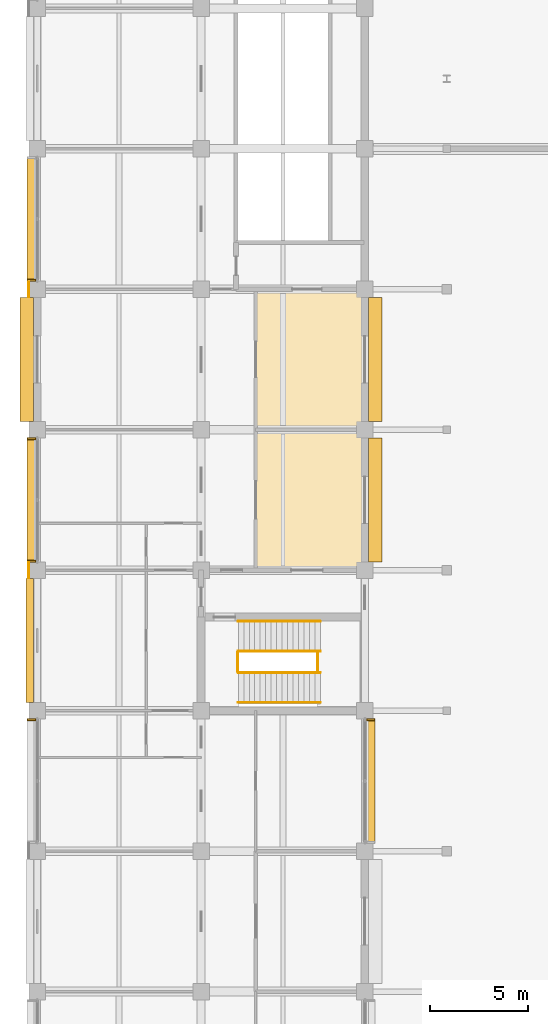
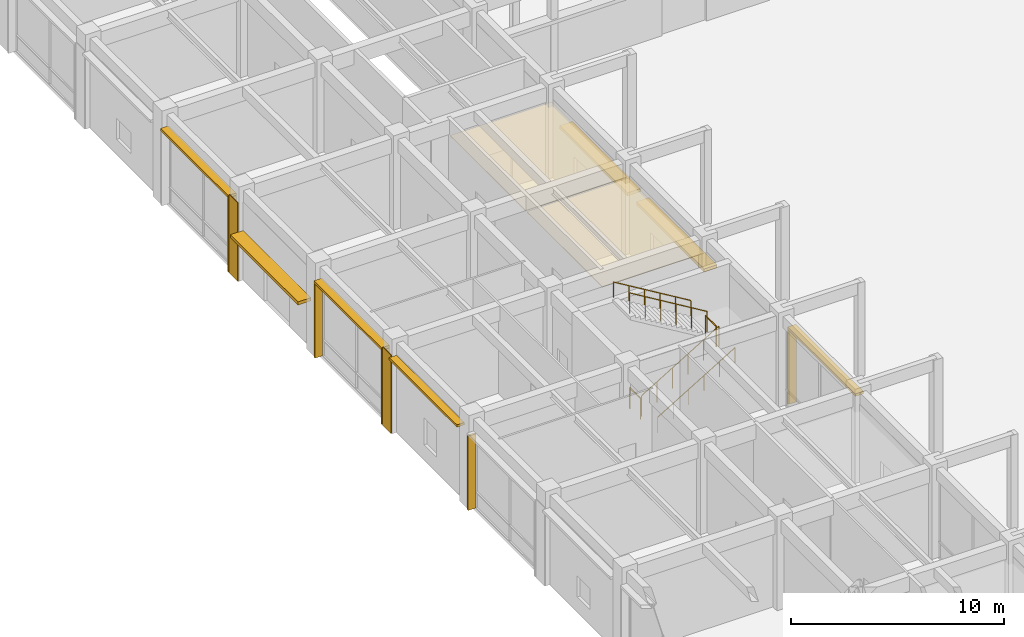
# One storey, part 64 of 73: 12 shading devices, 6 railings, 4 coverings.
"""IFC4 building model written with IfcOpenShell, lengths in metres."""

from ifc_helpers import new_model, si_unit, direction, frame, origin, origin_2d, place, context, subcontext, project, spatial, polyline, rectangle, circle, outline, extrude, material, layer, layer_set, type_object, element, save


model = new_model("IFC4")

# Units and contexts
model_context = context("Model", 3, precision=1e-05, world=origin(), true_north=direction((0.0, 1.0)))
body_context = subcontext(model_context, "Body", "Model", "MODEL_VIEW")
ifc_project = project(units=[si_unit("LENGTHUNIT", "METRE"), si_unit("AREAUNIT", "SQUARE_METRE"), si_unit("VOLUMEUNIT", "CUBIC_METRE"), si_unit("PLANEANGLEUNIT", "RADIAN"), si_unit("MASSUNIT", "GRAM", prefix="KILO")], contexts=[model_context])

# Site, building, storey
site_placement = place(None, origin())
site = spatial("IfcSite", under=ifc_project, at=site_placement, CompositionType="ELEMENT")
building_placement = place(site_placement, origin())
building = spatial("IfcBuilding", under=site, at=building_placement, Name="Chengyuan Square Courthouse", CompositionType="ELEMENT")
storey_placement = place(building_placement, origin())
storey = spatial("IfcBuildingStorey", under=building, at=storey_placement, Name="L01", CompositionType="ELEMENT", Elevation=0.0)

# Coverings
ifc_material_1 = material(Name="Flamed Liaoning Granite Column Cladding", Category="masonry")
ifc_layer_1 = layer(ifc_material_1, 0.050048828125)
ifc_layer_set_1 = layer_set([ifc_layer_1], Name="Flamed Liaoning Granite Column Cladding")
covering_type_1 = type_object("IfcCoveringType", Name="CLD-01", PredefinedType="CLADDING", material=ifc_layer_set_1)
for number, where, z_axis, x_axis, name in (
    (1, (-0.445068359375, 43.199951171875, 0.0), (0.0, 0.0, 1.0), (1.0, 0.0, 0.0), "Granite Column Cladding CLD-L01-04"),
    (2, (-0.445068359375, 57.60009765625, 0.0), (0.0, 0.0, 1.0), (1.0, 0.0, 0.0), "Granite Column Cladding CLD-L01-05"),
):
    element("IfcCovering", number, at=place(storey_placement, frame(where, z_axis=z_axis, x_axis=x_axis)), inside=storey, type_object=covering_type_1, Name=name, PredefinedType="CLADDING", context=body_context, shape_type="SweptSolid", body=[
        extrude(rectangle(XDim=0.050048828125, YDim=0.800048828125, at=origin_2d()), origin(), (0.0, 0.0, 1.0), 4.5),
    ])
ifc_material_2 = material(Name="Perforated Larch Glulam Acoustic Slat Ceiling", Category="wood")
ifc_layer_2 = layer(ifc_material_2, 0.044921875)
ifc_layer_set_2 = layer_set([ifc_layer_2], Name="Perforated Larch Glulam Acoustic Slat Ceiling")
covering_type_2 = type_object("IfcCoveringType", Name="CLG-01", PredefinedType="CEILING", material=ifc_layer_set_2)
covering_1_placement = place(storey_placement, frame((0.0, 0.0, 4.02001953125)))
element("IfcCovering", 3, at=covering_1_placement, inside=storey, type_object=covering_type_2, Name="Acoustic Timber Slat Ceiling CLG-L01-WIR-W06", PredefinedType="CEILING", context=body_context, shape_type="SweptSolid", body=[
    extrude(outline(polyline([(11.25, 43.25), (16.75, 43.25), (16.75, 50.35009765625), (11.25, 50.35009765625), (11.25, 43.25)])), origin(), (0.0, 0.0, 1.0), 0.044921875),
])
covering_2_placement = place(storey_placement, frame((0.0, 0.0, 4.02001953125)))
element("IfcCovering", 4, at=covering_2_placement, inside=storey, type_object=covering_type_2, Name="Acoustic Timber Slat Ceiling CLG-L01-WIR-W07", PredefinedType="CEILING", context=body_context, shape_type="SweptSolid", body=[
    extrude(outline(polyline([(11.25, 50.449951171875), (16.75, 50.449951171875), (16.75, 57.550048828125), (11.25, 57.550048828125), (11.25, 50.449951171875)])), origin(), (0.0, 0.0, 1.0), 0.044921875),
])

# Railings
ifc_material_3 = material(Name="Tempered Glass and Timber Top-Rail Balustrade", Category="wood")
railing_type_1 = type_object("IfcRailingType", Name="RL-02", PredefinedType="BALUSTRADE", material=ifc_material_3)
for number, where, name in (
    (5, (10.2900390625, 38.0, 0.0), "Stair Floor Slot Guard ST-7 L01"),
    (6, (14.389892578125, 38.0, 2.699951171875), "Stair Landing Guard ST-7-L01"),
):
    element("IfcRailing", number, at=place(storey_placement, frame(where)), inside=storey, type_object=railing_type_1, Name=name, PredefinedType="BALUSTRADE", context=body_context, shape_type="SweptSolid", body=[
        extrude(circle(Radius=0.02392578125, at=origin_2d()), frame((0.0, 0.0, 1.17578125), z_axis=(0.0, 1.0, 0.0), x_axis=(-1.0, 0.0, 0.0)), (0.0, 0.0, 1.0), 1.0),
        extrude(circle(Radius=0.02099609375, at=origin_2d()), origin(), (0.0, 0.0, 1.0), 1.15185546875),
        extrude(circle(Radius=0.02099609375, at=origin_2d()), frame((0.0, 1.0, 0.0)), (0.0, 0.0, 1.0), 1.15185546875),
    ])
railing_1_placement = place(storey_placement, frame((10.31005859375, 37.949951171875, 0.168701171875)))
element("IfcRailing", 7, at=railing_1_placement, inside=storey, type_object=railing_type_1, Name="Stair Flight 1 Guard ST-7-L01", PredefinedType="BALUSTRADE", context=body_context, shape_type="SweptSolid", body=[
    extrude(circle(Radius=0.02392578125, at=origin_2d()), frame((0.0, 0.0, 1.17578125), z_axis=(0.856476492594, 0.0, 0.516186030065), x_axis=(0.0, 1.0, 0.0)), (0.0, 0.0, 1.0), 4.90380859375),
    extrude(circle(Radius=0.02099609375, at=origin_2d()), origin(), (0.0, 0.0, 1.0), 1.15185546875),
    extrude(circle(Radius=0.02099609375, at=origin_2d()), frame((0.840087890625, 0.0, 0.50634765625)), (0.0, 0.0, 1.0), 1.15185546875),
    extrude(circle(Radius=0.02099609375, at=origin_2d()), frame((1.679931640625, 0.0, 1.012451171875)), (0.0, 0.0, 1.0), 1.15185546875),
    extrude(circle(Radius=0.02099609375, at=origin_2d()), frame((2.52001953125, 0.0, 1.518798828125)), (0.0, 0.0, 1.0), 1.15185546875),
    extrude(circle(Radius=0.02099609375, at=origin_2d()), frame((3.35986328125, 0.0, 2.02490234375)), (0.0, 0.0, 1.0), 1.15185546875),
    extrude(circle(Radius=0.02099609375, at=origin_2d()), frame((4.199951171875, 0.0, 2.53125)), (0.0, 0.0, 1.0), 1.15185546875),
])
railing_2_placement = place(storey_placement, frame((14.510009765625, 39.050048828125, 2.868896484375)))
element("IfcRailing", 8, at=railing_2_placement, inside=storey, type_object=railing_type_1, Name="Stair Flight 2 Guard ST-7-L01", PredefinedType="BALUSTRADE", context=body_context, shape_type="SweptSolid", body=[
    extrude(circle(Radius=0.02392578125, at=origin_2d()), frame((0.0, 0.0, 1.17578125), z_axis=(-0.856498503035, 0.0, 0.5161495077), x_axis=(0.0, -1.0, 0.0)), (0.0, 0.0, 1.0), 4.903564453125),
    extrude(circle(Radius=0.02099609375, at=origin_2d()), origin(), (0.0, 0.0, 1.0), 1.15185546875),
    extrude(circle(Radius=0.02099609375, at=origin_2d()), frame((-0.840087890625, 0.0, 0.506103515625)), (0.0, 0.0, 1.0), 1.15185546875),
    extrude(circle(Radius=0.02099609375, at=origin_2d()), frame((-1.679931640625, 0.0, 1.012451171875)), (0.0, 0.0, 1.0), 1.15185546875),
    extrude(circle(Radius=0.02099609375, at=origin_2d()), frame((-2.52001953125, 0.0, 1.5185546875)), (0.0, 0.0, 1.0), 1.15185546875),
    extrude(circle(Radius=0.02099609375, at=origin_2d()), frame((-3.35986328125, 0.0, 2.02490234375)), (0.0, 0.0, 1.0), 1.15185546875),
    extrude(circle(Radius=0.02099609375, at=origin_2d()), frame((-4.199951171875, 0.0, 2.531005859375)), (0.0, 0.0, 1.0), 1.15185546875),
])
ifc_material_4 = material(Name="Stainless Steel S30408 Stair Handrail", Category="steel")
railing_type_2 = type_object("IfcRailingType", Name="RL-04", PredefinedType="HANDRAIL", material=ifc_material_4)
railing_3_placement = place(storey_placement, frame((10.31005859375, 36.419921875, 0.168701171875)))
element("IfcRailing", 9, at=railing_3_placement, inside=storey, type_object=railing_type_2, Name="Stair Flight 1 Handrail ST-7-L01", PredefinedType="HANDRAIL", context=body_context, shape_type="SweptSolid", body=[
    extrude(circle(Radius=0.02392578125, at=origin_2d()), frame((0.0, 0.0, 0.8759765625), z_axis=(0.856476492594, 0.0, 0.516186030065), x_axis=(0.0, 1.0, 0.0)), (0.0, 0.0, 1.0), 4.90380859375),
    extrude(circle(Radius=0.02099609375, at=origin_2d()), origin(), (0.0, 0.0, 1.0), 0.851806640625),
    extrude(circle(Radius=0.02099609375, at=origin_2d()), frame((0.840087890625, 0.0, 0.50634765625)), (0.0, 0.0, 1.0), 0.851806640625),
    extrude(circle(Radius=0.02099609375, at=origin_2d()), frame((1.679931640625, 0.0, 1.012451171875)), (0.0, 0.0, 1.0), 0.851806640625),
    extrude(circle(Radius=0.02099609375, at=origin_2d()), frame((2.52001953125, 0.0, 1.518798828125)), (0.0, 0.0, 1.0), 0.851806640625),
    extrude(circle(Radius=0.02099609375, at=origin_2d()), frame((3.35986328125, 0.0, 2.02490234375)), (0.0, 0.0, 1.0), 0.851806640625),
    extrude(circle(Radius=0.02099609375, at=origin_2d()), frame((4.199951171875, 0.0, 2.53125)), (0.0, 0.0, 1.0), 0.851806640625),
])
railing_4_placement = place(storey_placement, frame((14.510009765625, 40.580078125, 2.868896484375)))
element("IfcRailing", 10, at=railing_4_placement, inside=storey, type_object=railing_type_2, Name="Stair Flight 2 Handrail ST-7-L01", PredefinedType="HANDRAIL", context=body_context, shape_type="SweptSolid", body=[
    extrude(circle(Radius=0.02392578125, at=origin_2d()), frame((0.0, 0.0, 0.8759765625), z_axis=(-0.856498503035, 0.0, 0.5161495077), x_axis=(0.0, -1.0, 0.0)), (0.0, 0.0, 1.0), 4.903564453125),
    extrude(circle(Radius=0.02099609375, at=origin_2d()), origin(), (0.0, 0.0, 1.0), 0.851806640625),
    extrude(circle(Radius=0.02099609375, at=origin_2d()), frame((-0.840087890625, 0.0, 0.506103515625)), (0.0, 0.0, 1.0), 0.851806640625),
    extrude(circle(Radius=0.02099609375, at=origin_2d()), frame((-1.679931640625, 0.0, 1.012451171875)), (0.0, 0.0, 1.0), 0.851806640625),
    extrude(circle(Radius=0.02099609375, at=origin_2d()), frame((-2.52001953125, 0.0, 1.5185546875)), (0.0, 0.0, 1.0), 0.851806640625),
    extrude(circle(Radius=0.02099609375, at=origin_2d()), frame((-3.35986328125, 0.0, 2.02490234375)), (0.0, 0.0, 1.0), 0.851806640625),
    extrude(circle(Radius=0.02099609375, at=origin_2d()), frame((-4.199951171875, 0.0, 2.531005859375)), (0.0, 0.0, 1.0), 0.851806640625),
])

# Shading devices
ifc_material_5 = material(Name="Glulam TCt28 Solar Shading Fin", Category="wood")
shading_device_type_1 = type_object("IfcShadingDeviceType", Name="SHD-01", PredefinedType="JALOUSIE", material=ifc_material_5)
for number, where, z_axis, x_axis, name in (
    (11, (-0.2919921875, 35.54248046875, 0.0400390625), (0.0, 0.0, 1.0), (1.0, 0.0, 0.0), "Glulam Solar Fin SHD-L01-0013"),
    (12, (-0.2919921875, 43.657470703125, 0.0400390625), (0.0, 0.0, 1.0), (1.0, 0.0, 0.0), "Glulam Solar Fin SHD-L01-0016"),
    (13, (-0.2919921875, 49.9423828125, 0.0400390625), (0.0, 0.0, 1.0), (1.0, 0.0, 0.0), "Glulam Solar Fin SHD-L01-0017"),
    (14, (-0.2919921875, 58.0576171875, 0.0400390625), (0.0, 0.0, 1.0), (1.0, 0.0, 0.0), "Glulam Solar Fin SHD-L01-0020"),
    (15, (17.092041015625, 35.54248046875, 0.0400390625), (0.0, 0.0, 1.0), (1.0, 0.0, 0.0), "Glulam Solar Fin SHD-L01-0045"),
):
    element("IfcShadingDevice", number, at=place(storey_placement, frame(where, z_axis=z_axis, x_axis=x_axis)), inside=storey, type_object=shading_device_type_1, Name=name, PredefinedType="JALOUSIE", context=body_context, shape_type="SweptSolid", body=[
        extrude(rectangle(XDim=0.419921875, YDim=0.094970703125, at=origin_2d()), origin(), (0.0, 0.0, 1.0), 4.260009765625),
    ])
ifc_material_6 = material(Name="Glulam TCt28 Sunshade Louvre", Category="wood")
shading_device_type_2 = type_object("IfcShadingDeviceType", Name="SHD-02", PredefinedType="AWNING", material=ifc_material_6)
for number, where, z_axis, x_axis, name in (
    (16, (-0.2919921875, 46.800048828125, 4.30029296875), (0.0, 0.0, 1.0), (0.0, 1.0, 0.0), "Glulam Sunshade Louvre SHD-L01-0018"),
    (17, (-0.2919921875, 61.199951171875, 4.30029296875), (0.0, 0.0, 1.0), (0.0, 1.0, 0.0), "Glulam Sunshade Louvre SHD-L01-0022"),
    (18, (17.092041015625, 32.39990234375, 4.30029296875), (0.0, 0.0, 1.0), (0.0, 1.0, 0.0), "Glulam Sunshade Louvre SHD-L01-0046"),
):
    element("IfcShadingDevice", number, at=place(storey_placement, frame(where, z_axis=z_axis, x_axis=x_axis)), inside=storey, type_object=shading_device_type_2, Name=name, PredefinedType="AWNING", context=body_context, shape_type="SweptSolid", body=[
        extrude(rectangle(XDim=6.35009765625, YDim=0.43994140625, at=origin_2d()), origin(), (0.0, 0.0, 1.0), 0.139892578125),
    ])
ifc_material_7 = material(Name="Glulam TCt28 Facade Sunshade", Category="wood")
shading_device_type_3 = type_object("IfcShadingDeviceType", Name="SHD-03", PredefinedType="AWNING", material=ifc_material_7)
shading_device_placement = place(storey_placement, frame((-0.382080078125, 39.60009765625, 4.2802734375), z_axis=(0.0, 0.0, 1.0), x_axis=(0.0, 1.0, 0.0)))
element("IfcShadingDevice", 19, at=shading_device_placement, inside=storey, type_object=shading_device_type_3, Name="Glulam Facade Sunshade SHD-L01-0015", PredefinedType="AWNING", context=body_context, shape_type="SweptSolid", body=[
    extrude(rectangle(XDim=6.360107421875, YDim=0.39990234375, at=origin_2d()), origin(), (0.0, 0.0, 1.0), 0.139892578125),
])
ifc_material_8 = material(Name="Glulam TCt28 Entrance Canopy", Category="wood")
shading_device_type_4 = type_object("IfcShadingDeviceType", Name="SHD-05", PredefinedType="AWNING", material=ifc_material_8)
for number, where, z_axis, x_axis, name in (
    (20, (-0.531982421875, 54.0, 2.66015625), (0.0, 0.0, 1.0), (0.0, 1.0, 0.0), "Glulam Entrance Canopy SHD-L01-0019"),
    (21, (17.33203125, 46.800048828125, 2.66015625), (0.0, 0.0, 1.0), (0.0, 1.0, 0.0), "Glulam Entrance Canopy SHD-L01-0047"),
    (22, (17.33203125, 54.0, 2.66015625), (0.0, 0.0, 1.0), (0.0, 1.0, 0.0), "Glulam Entrance Canopy SHD-L01-0048"),
):
    element("IfcShadingDevice", number, at=place(storey_placement, frame(where, z_axis=z_axis, x_axis=x_axis)), inside=storey, type_object=shading_device_type_4, Name=name, PredefinedType="AWNING", context=body_context, shape_type="SweptSolid", body=[
        extrude(rectangle(XDim=6.360107421875, YDim=0.699951171875, at=origin_2d()), origin(), (0.0, 0.0, 1.0), 0.179931640625),
    ])

save(model, "model.ifc")
